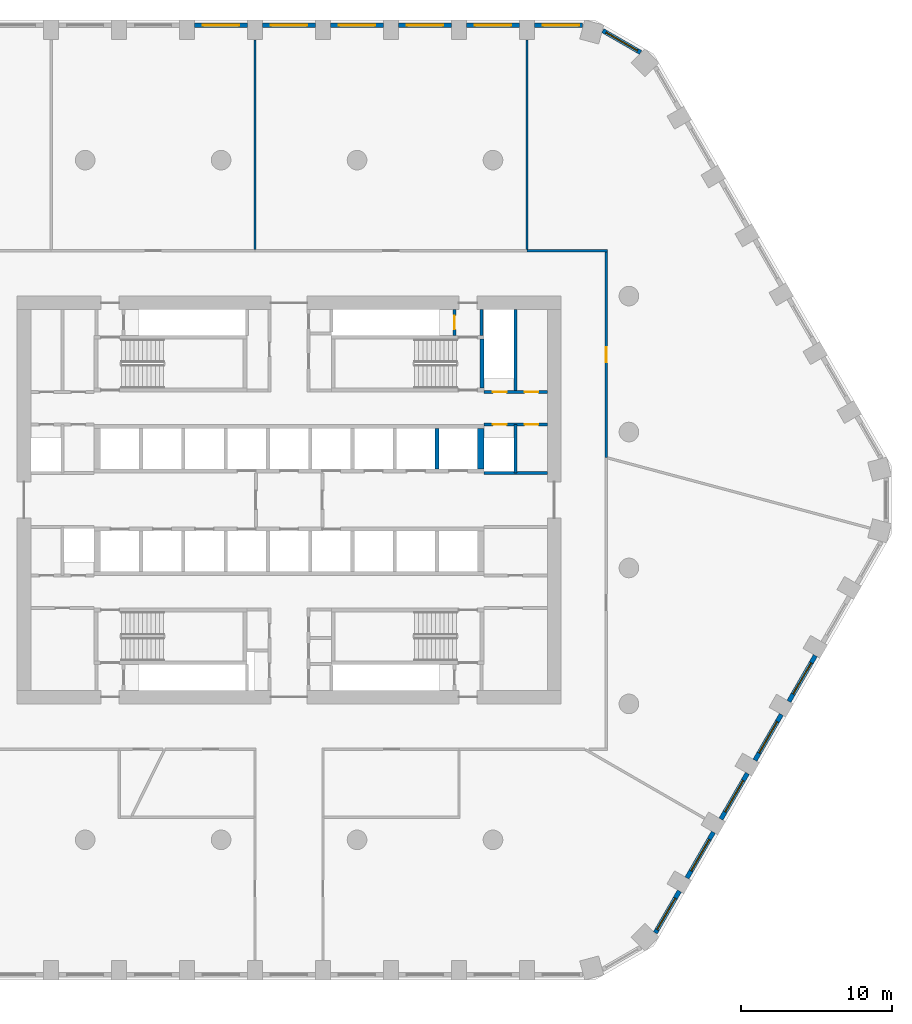
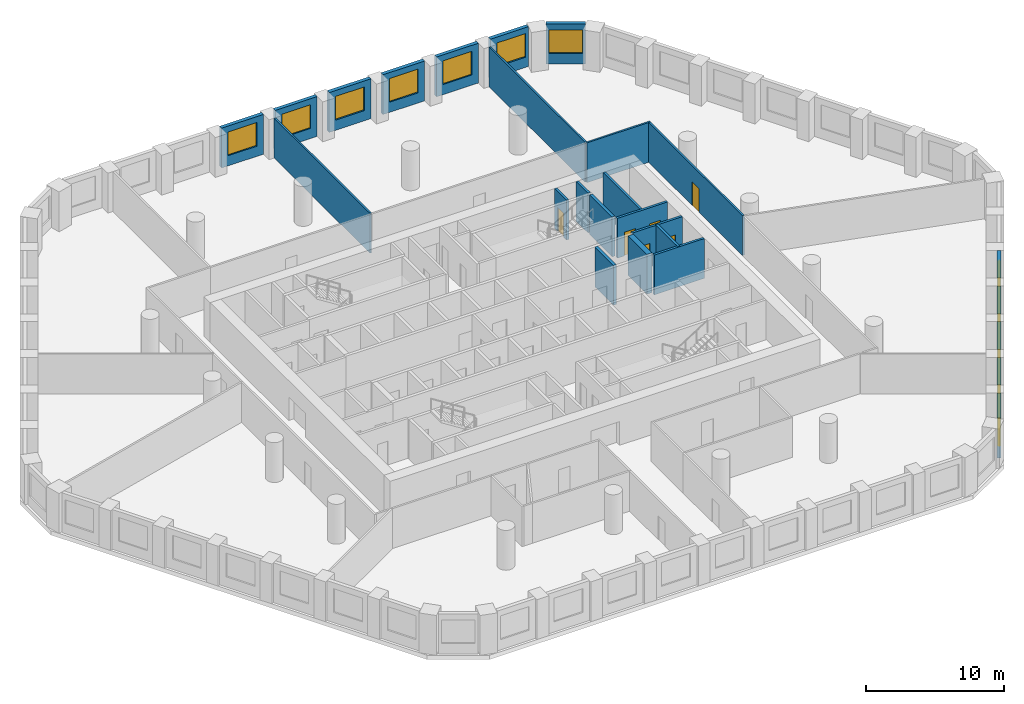
# One storey, part 7 of 9: 26 walls, 12 windows, 6 doors, 18 openings.
"""IFC4 building model written with IfcOpenShell, lengths in metres."""

from ifc_helpers import new_model, si_unit, direction, frame, frame_2d, origin, place, context, subcontext, project, spatial, polyline, rectangle, outline, extrude, material, layer, layer_set, type_object, element, fill, save


model = new_model("IFC4")

# Units and contexts
model_context = context("Model", 3, precision=1e-05, world=origin(), true_north=direction((0.0, 1.0)))
body_context = subcontext(model_context, "Body", "Model", "MODEL_VIEW")
ifc_project = project(units=[si_unit("LENGTHUNIT", "METRE"), si_unit("AREAUNIT", "SQUARE_METRE"), si_unit("VOLUMEUNIT", "CUBIC_METRE"), si_unit("PLANEANGLEUNIT", "RADIAN"), si_unit("MASSUNIT", "GRAM", prefix="KILO")], contexts=[model_context])

# Site, building, storey
site_placement = place(None, origin())
site = spatial("IfcSite", under=ifc_project, at=site_placement, CompositionType="ELEMENT")
building_placement = place(site_placement, origin())
building = spatial("IfcBuilding", under=site, at=building_placement, Name="Dhurran Vertical Campus", CompositionType="ELEMENT")
storey_placement = place(building_placement, frame((0.0, 0.0, 120.300048828125)))
storey = spatial("IfcBuildingStorey", under=building, at=storey_placement, Name="L29", CompositionType="ELEMENT", Elevation=120.300048828125)

# Wall, opening, window
ifc_material_1 = material(Name="Precast concrete C50/60", Category="concrete")
ifc_layer_1 = layer(ifc_material_1, 0.300048828125)
ifc_layer_set_1 = layer_set([ifc_layer_1], Name="Precast concrete C50/60")
wall_type_1 = type_object("IfcWallType", Name="Precast spandrel wall 300", PredefinedType="SOLIDWALL", material=ifc_layer_set_1)
wall_1_placement = place(storey_placement, frame((24.24755859375, -28.65576171875, 0.0), z_axis=(0.0, 0.0, 1.0), x_axis=(0.500004907028, 0.866022570692, 0.0)))
wall_1 = element("IfcWall", 1, at=wall_1_placement, inside=storey, type_object=wall_type_1, Name="EW1 L29.10", PredefinedType="SOLIDWALL", context=body_context, shape_type="SweptSolid", body=[
    extrude(rectangle(XDim=3.1923828125, YDim=0.300048828125, at=frame_2d((1.59619140625, 0.0))), origin(), (0.0, 0.0, 1.0), 3.52490234375),
])
opening_1_placement = place(wall_1_placement, frame((0.242919921875, 0.0, 0.89990234375)))
opening_1 = element("IfcOpeningElement", 2, at=opening_1_placement, cuts=wall_1, Name="Opening WT1", PredefinedType="OPENING", context=body_context, shape_type="SweptSolid", body=[
    extrude(rectangle(XDim=2.39990234375, YDim=2.10009765625, at=frame_2d((1.199951171875, 1.050048828125))), frame((0.0, 0.159912109375, 0.0), z_axis=(0.0, -1.0, 0.0), x_axis=(1.0, 0.0, 0.0)), (0.0, 0.0, 1.0), 0.320068359375),
])
ifc_material_2 = material(Name="Aluminium frame with solar-control glass", Category="aluminium")
window_type = type_object("IfcWindowType", Name="Punched window 2400 x 2100", PartitioningType="SINGLE_PANEL", PredefinedType="WINDOW", material=ifc_material_2)
window_1_placement = place(opening_1_placement, origin())
window_1 = element("IfcWindow", 3, at=window_1_placement, inside=storey, type_object=window_type, Name="WT1 L29.10", OverallHeight=2.10009765625, OverallWidth=2.39990234375, PartitioningType="SINGLE_PANEL", PredefinedType="WINDOW", context=body_context, shape_type="SweptSolid", body=[
    extrude(rectangle(XDim=2.39990234375, YDim=2.10009765625, at=frame_2d((1.199951171875, 1.050048828125))), frame((0.0, 0.030029296875, 0.0), z_axis=(0.0, -1.0, 0.0), x_axis=(1.0, 0.0, 0.0)), (0.0, 0.0, 1.0), 0.06005859375),
])
fill(opening_1, window_1)

wall_2_placement = place(storey_placement, frame((26.34423828125, -25.024169921875, 0.0), z_axis=(0.0, 0.0, 1.0), x_axis=(0.499996256241, 0.866027565234, 0.0)))
wall_2 = element("IfcWall", 4, at=wall_2_placement, inside=storey, type_object=wall_type_1, Name="EW1 L29.11", PredefinedType="SOLIDWALL", context=body_context, shape_type="SweptSolid", body=[
    extrude(rectangle(XDim=3.4990234375, YDim=0.300048828125, at=frame_2d((1.74951171875, 0.0))), origin(), (0.0, 0.0, 1.0), 3.52490234375),
])
opening_2_placement = place(wall_2_placement, frame((0.549560546875, 0.0, 0.89990234375)))
opening_2 = element("IfcOpeningElement", 5, at=opening_2_placement, cuts=wall_2, Name="Opening WT1", PredefinedType="OPENING", context=body_context, shape_type="SweptSolid", body=[
    extrude(rectangle(XDim=2.39990234375, YDim=2.10009765625, at=frame_2d((1.199951171875, 1.050048828125))), frame((0.0, 0.159912109375, 0.0), z_axis=(0.0, -1.0, 0.0), x_axis=(1.0, 0.0, 0.0)), (0.0, 0.0, 1.0), 0.320068359375),
])
window_2_placement = place(opening_2_placement, origin())
window_2 = element("IfcWindow", 6, at=window_2_placement, inside=storey, type_object=window_type, Name="WT1 L29.11", OverallHeight=2.10009765625, OverallWidth=2.39990234375, PartitioningType="SINGLE_PANEL", PredefinedType="WINDOW", context=body_context, shape_type="SweptSolid", body=[
    extrude(rectangle(XDim=2.39990234375, YDim=2.10009765625, at=frame_2d((1.199951171875, 1.050048828125))), frame((0.0, 0.030029296875, 0.0), z_axis=(0.0, -1.0, 0.0), x_axis=(1.0, 0.0, 0.0)), (0.0, 0.0, 1.0), 0.06005859375),
])
fill(opening_2, window_2)

wall_3_placement = place(storey_placement, frame((28.59423828125, -21.127197265625, 0.0), z_axis=(0.0, 0.0, 1.0), x_axis=(0.499996256241, 0.866027565234, 0.0)))
wall_3 = element("IfcWall", 7, at=wall_3_placement, inside=storey, type_object=wall_type_1, Name="EW1 L29.12", PredefinedType="SOLIDWALL", context=body_context, shape_type="SweptSolid", body=[
    extrude(rectangle(XDim=3.4990234375, YDim=0.300048828125, at=frame_2d((1.74951171875, 0.0))), origin(), (0.0, 0.0, 1.0), 3.52490234375),
])
opening_3_placement = place(wall_3_placement, frame((0.549560546875, 0.0, 0.89990234375)))
opening_3 = element("IfcOpeningElement", 8, at=opening_3_placement, cuts=wall_3, Name="Opening WT1", PredefinedType="OPENING", context=body_context, shape_type="SweptSolid", body=[
    extrude(rectangle(XDim=2.39990234375, YDim=2.10009765625, at=frame_2d((1.199951171875, 1.050048828125))), frame((0.0, 0.159912109375, 0.0), z_axis=(0.0, -1.0, 0.0), x_axis=(1.0, 0.0, 0.0)), (0.0, 0.0, 1.0), 0.320068359375),
])
window_3_placement = place(opening_3_placement, origin())
window_3 = element("IfcWindow", 9, at=window_3_placement, inside=storey, type_object=window_type, Name="WT1 L29.12", OverallHeight=2.10009765625, OverallWidth=2.39990234375, PartitioningType="SINGLE_PANEL", PredefinedType="WINDOW", context=body_context, shape_type="SweptSolid", body=[
    extrude(rectangle(XDim=2.39990234375, YDim=2.10009765625, at=frame_2d((1.199951171875, 1.050048828125))), frame((0.0, 0.030029296875, 0.0), z_axis=(0.0, -1.0, 0.0), x_axis=(1.0, 0.0, 0.0)), (0.0, 0.0, 1.0), 0.06005859375),
])
fill(opening_3, window_3)

wall_4_placement = place(storey_placement, frame((30.84423828125, -17.22998046875, 0.0), z_axis=(0.0, 0.0, 1.0), x_axis=(0.499996256241, 0.866027565234, 0.0)))
wall_4 = element("IfcWall", 10, at=wall_4_placement, inside=storey, type_object=wall_type_1, Name="EW1 L29.13", PredefinedType="SOLIDWALL", context=body_context, shape_type="SweptSolid", body=[
    extrude(rectangle(XDim=3.4990234375, YDim=0.300048828125, at=frame_2d((1.74951171875, 0.0))), origin(), (0.0, 0.0, 1.0), 3.52490234375),
])
opening_4_placement = place(wall_4_placement, frame((0.549560546875, 0.0, 0.89990234375)))
opening_4 = element("IfcOpeningElement", 11, at=opening_4_placement, cuts=wall_4, Name="Opening WT1", PredefinedType="OPENING", context=body_context, shape_type="SweptSolid", body=[
    extrude(rectangle(XDim=2.39990234375, YDim=2.10009765625, at=frame_2d((1.199951171875, 1.050048828125))), frame((0.0, 0.159912109375, 0.0), z_axis=(0.0, -1.0, 0.0), x_axis=(1.0, 0.0, 0.0)), (0.0, 0.0, 1.0), 0.320068359375),
])
window_4_placement = place(opening_4_placement, origin())
window_4 = element("IfcWindow", 12, at=window_4_placement, inside=storey, type_object=window_type, Name="WT1 L29.13", OverallHeight=2.10009765625, OverallWidth=2.39990234375, PartitioningType="SINGLE_PANEL", PredefinedType="WINDOW", context=body_context, shape_type="SweptSolid", body=[
    extrude(rectangle(XDim=2.39990234375, YDim=2.10009765625, at=frame_2d((1.199951171875, 1.050048828125))), frame((0.0, 0.030029296875, 0.0), z_axis=(0.0, -1.0, 0.0), x_axis=(1.0, 0.0, 0.0)), (0.0, 0.0, 1.0), 0.06005859375),
])
fill(opening_4, window_4)

wall_5_placement = place(storey_placement, frame((33.09423828125, -13.3330078125, 0.0), z_axis=(0.0, 0.0, 1.0), x_axis=(0.499996256241, 0.866027565234, 0.0)))
wall_5 = element("IfcWall", 13, at=wall_5_placement, inside=storey, type_object=wall_type_1, Name="EW1 L29.14", PredefinedType="SOLIDWALL", context=body_context, shape_type="SweptSolid", body=[
    extrude(rectangle(XDim=3.4990234375, YDim=0.300048828125, at=frame_2d((1.74951171875, 0.0))), origin(), (0.0, 0.0, 1.0), 3.52490234375),
])
opening_5_placement = place(wall_5_placement, frame((0.549560546875, 0.0, 0.89990234375)))
opening_5 = element("IfcOpeningElement", 14, at=opening_5_placement, cuts=wall_5, Name="Opening WT1", PredefinedType="OPENING", context=body_context, shape_type="SweptSolid", body=[
    extrude(rectangle(XDim=2.39990234375, YDim=2.10009765625, at=frame_2d((1.199951171875, 1.050048828125))), frame((0.0, 0.159912109375, 0.0), z_axis=(0.0, -1.0, 0.0), x_axis=(1.0, 0.0, 0.0)), (0.0, 0.0, 1.0), 0.320068359375),
])
window_5_placement = place(opening_5_placement, origin())
window_5 = element("IfcWindow", 15, at=window_5_placement, inside=storey, type_object=window_type, Name="WT1 L29.14", OverallHeight=2.10009765625, OverallWidth=2.39990234375, PartitioningType="SINGLE_PANEL", PredefinedType="WINDOW", context=body_context, shape_type="SweptSolid", body=[
    extrude(rectangle(XDim=2.39990234375, YDim=2.10009765625, at=frame_2d((1.199951171875, 1.050048828125))), frame((0.0, 0.030029296875, 0.0), z_axis=(0.0, -1.0, 0.0), x_axis=(1.0, 0.0, 0.0)), (0.0, 0.0, 1.0), 0.06005859375),
])
fill(opening_5, window_5)

wall_6_placement = place(storey_placement, frame((23.273193359375, 29.63037109375, 0.0), z_axis=(0.0, 0.0, 1.0), x_axis=(-0.866053149362, 0.49995194017, 0.0)))
wall_6 = element("IfcWall", 16, at=wall_6_placement, inside=storey, type_object=wall_type_1, Name="EW1 L29.25", PredefinedType="SOLIDWALL", context=body_context, shape_type="SweptSolid", body=[
    extrude(rectangle(XDim=2.885498046875, YDim=0.300048828125, at=frame_2d((1.44287109375, 0.0))), origin(), (0.0, 0.0, 1.0), 3.52490234375),
])
opening_6_placement = place(wall_6_placement, frame((0.242919921875, 0.0, 0.89990234375)))
opening_6 = element("IfcOpeningElement", 17, at=opening_6_placement, cuts=wall_6, Name="Opening WT1", PredefinedType="OPENING", context=body_context, shape_type="SweptSolid", body=[
    extrude(rectangle(XDim=2.39990234375, YDim=2.10009765625, at=frame_2d((1.199951171875, 1.050048828125))), frame((0.0, 0.159912109375, 0.0), z_axis=(0.0, -1.0, 0.0), x_axis=(1.0, 0.0, 0.0)), (0.0, 0.0, 1.0), 0.320068359375),
])
window_6_placement = place(opening_6_placement, origin())
window_6 = element("IfcWindow", 18, at=window_6_placement, inside=storey, type_object=window_type, Name="WT1 L29.25", OverallHeight=2.10009765625, OverallWidth=2.39990234375, PartitioningType="SINGLE_PANEL", PredefinedType="WINDOW", context=body_context, shape_type="SweptSolid", body=[
    extrude(rectangle(XDim=2.39990234375, YDim=2.10009765625, at=frame_2d((1.199951171875, 1.050048828125))), frame((0.0, 0.030029296875, 0.0), z_axis=(0.0, -1.0, 0.0), x_axis=(1.0, 0.0, 0.0)), (0.0, 0.0, 1.0), 0.06005859375),
])
fill(opening_6, window_6)

wall_7_placement = place(storey_placement, frame((19.44287109375, 31.4296875, 0.0), z_axis=(0.0, 0.0, 1.0), x_axis=(-1.0, 0.0, 0.0)))
wall_7 = element("IfcWall", 19, at=wall_7_placement, inside=storey, type_object=wall_type_1, Name="EW1 L29.26", PredefinedType="SOLIDWALL", context=body_context, shape_type="SweptSolid", body=[
    extrude(rectangle(XDim=3.1923828125, YDim=0.300048828125, at=frame_2d((1.59619140625, 0.0))), origin(), (0.0, 0.0, 1.0), 3.52490234375),
])
opening_7_placement = place(wall_7_placement, frame((0.242919921875, 0.0, 0.89990234375)))
opening_7 = element("IfcOpeningElement", 20, at=opening_7_placement, cuts=wall_7, Name="Opening WT1", PredefinedType="OPENING", context=body_context, shape_type="SweptSolid", body=[
    extrude(rectangle(XDim=2.39990234375, YDim=2.10009765625, at=frame_2d((1.199951171875, 1.050048828125))), frame((0.0, 0.159912109375, 0.0), z_axis=(0.0, -1.0, 0.0), x_axis=(1.0, 0.0, 0.0)), (0.0, 0.0, 1.0), 0.320068359375),
])
window_7_placement = place(opening_7_placement, origin())
window_7 = element("IfcWindow", 21, at=window_7_placement, inside=storey, type_object=window_type, Name="WT1 L29.26", OverallHeight=2.10009765625, OverallWidth=2.39990234375, PartitioningType="SINGLE_PANEL", PredefinedType="WINDOW", context=body_context, shape_type="SweptSolid", body=[
    extrude(rectangle(XDim=2.39990234375, YDim=2.10009765625, at=frame_2d((1.199951171875, 1.050048828125))), frame((0.0, 0.030029296875, 0.0), z_axis=(0.0, -1.0, 0.0), x_axis=(1.0, 0.0, 0.0)), (0.0, 0.0, 1.0), 0.06005859375),
])
fill(opening_7, window_7)

wall_8_placement = place(storey_placement, frame((15.24951171875, 31.4296875, 0.0), z_axis=(0.0, 0.0, 1.0), x_axis=(-1.0, 0.0, 0.0)))
wall_8 = element("IfcWall", 22, at=wall_8_placement, inside=storey, type_object=wall_type_1, Name="EW1 L29.27", PredefinedType="SOLIDWALL", context=body_context, shape_type="SweptSolid", body=[
    extrude(rectangle(XDim=3.4990234375, YDim=0.300048828125, at=frame_2d((1.74951171875, 0.0))), origin(), (0.0, 0.0, 1.0), 3.52490234375),
])
opening_8_placement = place(wall_8_placement, frame((0.549560546875, 0.0, 0.89990234375)))
opening_8 = element("IfcOpeningElement", 23, at=opening_8_placement, cuts=wall_8, Name="Opening WT1", PredefinedType="OPENING", context=body_context, shape_type="SweptSolid", body=[
    extrude(rectangle(XDim=2.39990234375, YDim=2.10009765625, at=frame_2d((1.199951171875, 1.050048828125))), frame((0.0, 0.159912109375, 0.0), z_axis=(0.0, -1.0, 0.0), x_axis=(1.0, 0.0, 0.0)), (0.0, 0.0, 1.0), 0.320068359375),
])
window_8_placement = place(opening_8_placement, origin())
window_8 = element("IfcWindow", 24, at=window_8_placement, inside=storey, type_object=window_type, Name="WT1 L29.27", OverallHeight=2.10009765625, OverallWidth=2.39990234375, PartitioningType="SINGLE_PANEL", PredefinedType="WINDOW", context=body_context, shape_type="SweptSolid", body=[
    extrude(rectangle(XDim=2.39990234375, YDim=2.10009765625, at=frame_2d((1.199951171875, 1.050048828125))), frame((0.0, 0.030029296875, 0.0), z_axis=(0.0, -1.0, 0.0), x_axis=(1.0, 0.0, 0.0)), (0.0, 0.0, 1.0), 0.06005859375),
])
fill(opening_8, window_8)

wall_9_placement = place(storey_placement, frame((10.74951171875, 31.4296875, 0.0), z_axis=(0.0, 0.0, 1.0), x_axis=(-1.0, 0.0, 0.0)))
wall_9 = element("IfcWall", 25, at=wall_9_placement, inside=storey, type_object=wall_type_1, Name="EW1 L29.28", PredefinedType="SOLIDWALL", context=body_context, shape_type="SweptSolid", body=[
    extrude(rectangle(XDim=3.4990234375, YDim=0.300048828125, at=frame_2d((1.74951171875, 0.0))), origin(), (0.0, 0.0, 1.0), 3.52490234375),
])
opening_9_placement = place(wall_9_placement, frame((0.549560546875, 0.0, 0.89990234375)))
opening_9 = element("IfcOpeningElement", 26, at=opening_9_placement, cuts=wall_9, Name="Opening WT1", PredefinedType="OPENING", context=body_context, shape_type="SweptSolid", body=[
    extrude(rectangle(XDim=2.39990234375, YDim=2.10009765625, at=frame_2d((1.199951171875, 1.050048828125))), frame((0.0, 0.159912109375, 0.0), z_axis=(0.0, -1.0, 0.0), x_axis=(1.0, 0.0, 0.0)), (0.0, 0.0, 1.0), 0.320068359375),
])
window_9_placement = place(opening_9_placement, origin())
window_9 = element("IfcWindow", 27, at=window_9_placement, inside=storey, type_object=window_type, Name="WT1 L29.28", OverallHeight=2.10009765625, OverallWidth=2.39990234375, PartitioningType="SINGLE_PANEL", PredefinedType="WINDOW", context=body_context, shape_type="SweptSolid", body=[
    extrude(rectangle(XDim=2.39990234375, YDim=2.10009765625, at=frame_2d((1.199951171875, 1.050048828125))), frame((0.0, 0.030029296875, 0.0), z_axis=(0.0, -1.0, 0.0), x_axis=(1.0, 0.0, 0.0)), (0.0, 0.0, 1.0), 0.06005859375),
])
fill(opening_9, window_9)

wall_10_placement = place(storey_placement, frame((6.24951171875, 31.4296875, 0.0), z_axis=(0.0, 0.0, 1.0), x_axis=(-1.0, 0.0, 0.0)))
wall_10 = element("IfcWall", 28, at=wall_10_placement, inside=storey, type_object=wall_type_1, Name="EW1 L29.29", PredefinedType="SOLIDWALL", context=body_context, shape_type="SweptSolid", body=[
    extrude(rectangle(XDim=3.4990234375, YDim=0.300048828125, at=frame_2d((1.74951171875, 0.0))), origin(), (0.0, 0.0, 1.0), 3.52490234375),
])
opening_10_placement = place(wall_10_placement, frame((0.549560546875, 0.0, 0.89990234375)))
opening_10 = element("IfcOpeningElement", 29, at=opening_10_placement, cuts=wall_10, Name="Opening WT1", PredefinedType="OPENING", context=body_context, shape_type="SweptSolid", body=[
    extrude(rectangle(XDim=2.39990234375, YDim=2.10009765625, at=frame_2d((1.199951171875, 1.050048828125))), frame((0.0, 0.159912109375, 0.0), z_axis=(0.0, -1.0, 0.0), x_axis=(1.0, 0.0, 0.0)), (0.0, 0.0, 1.0), 0.320068359375),
])
window_10_placement = place(opening_10_placement, origin())
window_10 = element("IfcWindow", 30, at=window_10_placement, inside=storey, type_object=window_type, Name="WT1 L29.29", OverallHeight=2.10009765625, OverallWidth=2.39990234375, PartitioningType="SINGLE_PANEL", PredefinedType="WINDOW", context=body_context, shape_type="SweptSolid", body=[
    extrude(rectangle(XDim=2.39990234375, YDim=2.10009765625, at=frame_2d((1.199951171875, 1.050048828125))), frame((0.0, 0.030029296875, 0.0), z_axis=(0.0, -1.0, 0.0), x_axis=(1.0, 0.0, 0.0)), (0.0, 0.0, 1.0), 0.06005859375),
])
fill(opening_10, window_10)

wall_11_placement = place(storey_placement, frame((1.74951171875, 31.4296875, 0.0), z_axis=(0.0, 0.0, 1.0), x_axis=(-1.0, 0.0, 0.0)))
wall_11 = element("IfcWall", 31, at=wall_11_placement, inside=storey, type_object=wall_type_1, Name="EW1 L29.30", PredefinedType="SOLIDWALL", context=body_context, shape_type="SweptSolid", body=[
    extrude(rectangle(XDim=3.4990234375, YDim=0.300048828125, at=frame_2d((1.74951171875, 0.0))), origin(), (0.0, 0.0, 1.0), 3.52490234375),
])
opening_11_placement = place(wall_11_placement, frame((0.549560546875, 0.0, 0.89990234375)))
opening_11 = element("IfcOpeningElement", 32, at=opening_11_placement, cuts=wall_11, Name="Opening WT1", PredefinedType="OPENING", context=body_context, shape_type="SweptSolid", body=[
    extrude(rectangle(XDim=2.39990234375, YDim=2.10009765625, at=frame_2d((1.199951171875, 1.050048828125))), frame((0.0, 0.159912109375, 0.0), z_axis=(0.0, -1.0, 0.0), x_axis=(1.0, 0.0, 0.0)), (0.0, 0.0, 1.0), 0.320068359375),
])
window_11_placement = place(opening_11_placement, origin())
window_11 = element("IfcWindow", 33, at=window_11_placement, inside=storey, type_object=window_type, Name="WT1 L29.30", OverallHeight=2.10009765625, OverallWidth=2.39990234375, PartitioningType="SINGLE_PANEL", PredefinedType="WINDOW", context=body_context, shape_type="SweptSolid", body=[
    extrude(rectangle(XDim=2.39990234375, YDim=2.10009765625, at=frame_2d((1.199951171875, 1.050048828125))), frame((0.0, 0.030029296875, 0.0), z_axis=(0.0, -1.0, 0.0), x_axis=(1.0, 0.0, 0.0)), (0.0, 0.0, 1.0), 0.06005859375),
])
fill(opening_11, window_11)

wall_12_placement = place(storey_placement, frame((-2.75048828125, 31.4296875, 0.0), z_axis=(0.0, 0.0, 1.0), x_axis=(-1.0, 0.0, 0.0)))
wall_12 = element("IfcWall", 34, at=wall_12_placement, inside=storey, type_object=wall_type_1, Name="EW1 L29.31", PredefinedType="SOLIDWALL", context=body_context, shape_type="SweptSolid", body=[
    extrude(rectangle(XDim=3.4990234375, YDim=0.300048828125, at=frame_2d((1.74951171875, 0.0))), origin(), (0.0, 0.0, 1.0), 3.52490234375),
])
opening_12_placement = place(wall_12_placement, frame((0.549560546875, 0.0, 0.89990234375)))
opening_12 = element("IfcOpeningElement", 35, at=opening_12_placement, cuts=wall_12, Name="Opening WT1", PredefinedType="OPENING", context=body_context, shape_type="SweptSolid", body=[
    extrude(rectangle(XDim=2.39990234375, YDim=2.10009765625, at=frame_2d((1.199951171875, 1.050048828125))), frame((0.0, 0.159912109375, 0.0), z_axis=(0.0, -1.0, 0.0), x_axis=(1.0, 0.0, 0.0)), (0.0, 0.0, 1.0), 0.320068359375),
])
window_12_placement = place(opening_12_placement, origin())
window_12 = element("IfcWindow", 36, at=window_12_placement, inside=storey, type_object=window_type, Name="WT1 L29.31", OverallHeight=2.10009765625, OverallWidth=2.39990234375, PartitioningType="SINGLE_PANEL", PredefinedType="WINDOW", context=body_context, shape_type="SweptSolid", body=[
    extrude(rectangle(XDim=2.39990234375, YDim=2.10009765625, at=frame_2d((1.199951171875, 1.050048828125))), frame((0.0, 0.030029296875, 0.0), z_axis=(0.0, -1.0, 0.0), x_axis=(1.0, 0.0, 0.0)), (0.0, 0.0, 1.0), 0.06005859375),
])
fill(opening_12, window_12)

# Wall
ifc_material_3 = material(Name="Fire-rated masonry blockwork", Category="masonry")
ifc_layer_2 = layer(ifc_material_3, 0.199951171875)
ifc_layer_set_2 = layer_set([ifc_layer_2], Name="Fire-rated masonry blockwork")
wall_type_2 = type_object("IfcWallType", Name="co-FIRE-PARTITION-200", PredefinedType="PARTITIONING", material=ifc_layer_set_2)
wall_13_placement = place(storey_placement, frame((12.75, 10.89990234375, 0.0), z_axis=(0.0, 0.0, 1.0), x_axis=(0.0, 1.0, 0.0)))
element("IfcWall", 37, at=wall_13_placement, inside=storey, type_object=wall_type_2, Name="Core partition pass-ST2-o L29", PredefinedType="PARTITIONING", context=body_context, shape_type="SweptSolid", body=[
    extrude(rectangle(XDim=1.7001953125, YDim=0.199951171875, at=frame_2d((0.85009765625, 0.0))), origin(), (0.0, 0.0, 1.0), 3.52490234375),
])

# Wall, opening, door
wall_14_placement = place(storey_placement, frame((10.949951171875, 10.89990234375, 0.0), z_axis=(0.0, 0.0, 1.0), x_axis=(0.0, 1.0, 0.0)))
wall_14 = element("IfcWall", 38, at=wall_14_placement, inside=storey, type_object=wall_type_2, Name="Core partition pass-ST2-i L29", PredefinedType="PARTITIONING", context=body_context, shape_type="SweptSolid", body=[
    extrude(rectangle(XDim=1.7001953125, YDim=0.199951171875, at=frame_2d((0.85009765625, 0.0))), origin(), (0.0, 0.0, 1.0), 3.52490234375),
])
opening_13_placement = place(wall_14_placement, frame((0.39990234375, 0.0, 0.0)))
opening_13 = element("IfcOpeningElement", 39, at=opening_13_placement, cuts=wall_14, Name="Opening T08-C10", PredefinedType="OPENING", context=body_context, shape_type="SweptSolid", body=[
    extrude(rectangle(XDim=0.89990234375, YDim=2.10009765625, at=frame_2d((0.449951171875, 1.050048828125))), frame((0.0, 0.10986328125, 0.0), z_axis=(0.0, -1.0, 0.0), x_axis=(1.0, 0.0, 0.0)), (0.0, 0.0, 1.0), 0.219970703125),
])
ifc_material_4 = material(Name="Fire-rated timber door set", Category="wood")
door_type_1 = type_object("IfcDoorType", Name="co-D-ROOM 900x2100", OperationType="SINGLE_SWING_LEFT", PredefinedType="DOOR", material=ifc_material_4)
door_1_placement = place(opening_13_placement, origin())
door_1 = element("IfcDoor", 40, at=door_1_placement, inside=storey, type_object=door_type_1, Name="Riser room door L29", OperationType="SINGLE_SWING_LEFT", OverallHeight=2.10009765625, OverallWidth=0.89990234375, PredefinedType="DOOR", context=body_context, shape_type="SweptSolid", body=[
    extrude(rectangle(XDim=0.89990234375, YDim=2.10009765625, at=frame_2d((0.449951171875, 1.050048828125))), frame((0.0, 0.02490234375, 0.0), z_axis=(0.0, -1.0, 0.0), x_axis=(1.0, 0.0, 0.0)), (0.0, 0.0, 1.0), 0.050048828125),
])
fill(opening_13, door_1)

# Wall
wall_15_placement = place(storey_placement, frame((15.0, 7.14990234375, 0.0), z_axis=(0.0, 0.0, 1.0), x_axis=(0.0, 1.0, 0.0)))
element("IfcWall", 41, at=wall_15_placement, inside=storey, type_object=wall_type_2, Name="Core partition en-NE-cut0 L29", PredefinedType="PARTITIONING", context=body_context, shape_type="SweptSolid", body=[
    extrude(rectangle(XDim=5.4501953125, YDim=0.199951171875, at=frame_2d((2.72509765625, 0.0))), origin(), (0.0, 0.0, 1.0), 3.52490234375),
])

# Wall, openings, doors
wall_16_placement = place(storey_placement, frame((12.89990234375, 7.14990234375, 0.0), z_axis=(0.0, 0.0, 1.0), x_axis=(1.0, 0.0, 0.0)))
wall_16 = element("IfcWall", 42, at=wall_16_placement, inside=storey, type_object=wall_type_2, Name="Core partition en-NE-w L29", PredefinedType="PARTITIONING", context=body_context, shape_type="SweptSolid", body=[
    extrude(rectangle(XDim=4.2001953125, YDim=0.199951171875, at=frame_2d((2.10009765625, 0.0))), origin(), (0.0, 0.0, 1.0), 3.52490234375),
])
opening_14_placement = place(wall_16_placement, frame((0.60009765625, 0.0, 0.0)))
opening_14 = element("IfcOpeningElement", 43, at=opening_14_placement, cuts=wall_16, Name="Opening T08-C17", PredefinedType="OPENING", context=body_context, shape_type="SweptSolid", body=[
    extrude(rectangle(XDim=0.89990234375, YDim=2.10009765625, at=frame_2d((0.449951171875, 1.050048828125))), frame((0.0, 0.10986328125, 0.0), z_axis=(0.0, -1.0, 0.0), x_axis=(1.0, 0.0, 0.0)), (0.0, 0.0, 1.0), 0.219970703125),
])
opening_15_placement = place(wall_16_placement, frame((2.699951171875, 0.0, 0.0)))
opening_15 = element("IfcOpeningElement", 44, at=opening_15_placement, cuts=wall_16, Name="Opening T08-C18", PredefinedType="OPENING", context=body_context, shape_type="SweptSolid", body=[
    extrude(rectangle(XDim=0.89990234375, YDim=2.10009765625, at=frame_2d((0.449951171875, 1.050048828125))), frame((0.0, 0.10986328125, 0.0), z_axis=(0.0, -1.0, 0.0), x_axis=(1.0, 0.0, 0.0)), (0.0, 0.0, 1.0), 0.219970703125),
])
door_2_placement = place(opening_14_placement, origin())
door_2 = element("IfcDoor", 45, at=door_2_placement, inside=storey, type_object=door_type_1, Name="Electrical riser door L29", OperationType="SINGLE_SWING_LEFT", OverallHeight=2.10009765625, OverallWidth=0.89990234375, PredefinedType="DOOR", context=body_context, shape_type="SweptSolid", body=[
    extrude(rectangle(XDim=0.89990234375, YDim=2.10009765625, at=frame_2d((0.449951171875, 1.050048828125))), frame((0.0, 0.02490234375, 0.0), z_axis=(0.0, -1.0, 0.0), x_axis=(1.0, 0.0, 0.0)), (0.0, 0.0, 1.0), 0.050048828125),
])
fill(opening_14, door_2)
door_3_placement = place(opening_15_placement, origin())
door_3 = element("IfcDoor", 46, at=door_3_placement, inside=storey, type_object=door_type_1, Name="Cleaner's store door L29", OperationType="SINGLE_SWING_LEFT", OverallHeight=2.10009765625, OverallWidth=0.89990234375, PredefinedType="DOOR", context=body_context, shape_type="SweptSolid", body=[
    extrude(rectangle(XDim=0.89990234375, YDim=2.10009765625, at=frame_2d((0.449951171875, 1.050048828125))), frame((0.0, 0.02490234375, 0.0), z_axis=(0.0, -1.0, 0.0), x_axis=(1.0, 0.0, 0.0)), (0.0, 0.0, 1.0), 0.050048828125),
])
fill(opening_15, door_3)

# Wall
wall_17_placement = place(storey_placement, frame((15.0, 1.800048828125, 0.0), z_axis=(0.0, 0.0, 1.0), x_axis=(0.0, 1.0, 0.0)))
element("IfcWall", 47, at=wall_17_placement, inside=storey, type_object=wall_type_2, Name="Core partition es-NE-cut0 L29", PredefinedType="PARTITIONING", context=body_context, shape_type="SweptSolid", body=[
    extrude(rectangle(XDim=3.199951171875, YDim=0.199951171875, at=frame_2d((1.60009765625, 0.0))), origin(), (0.0, 0.0, 1.0), 3.52490234375),
])

# Wall, openings, doors
wall_18_placement = place(storey_placement, frame((12.89990234375, 5.0, 0.0), z_axis=(0.0, 0.0, 1.0), x_axis=(1.0, 0.0, 0.0)))
wall_18 = element("IfcWall", 48, at=wall_18_placement, inside=storey, type_object=wall_type_2, Name="Core partition es-NE-w L29", PredefinedType="PARTITIONING", context=body_context, shape_type="SweptSolid", body=[
    extrude(rectangle(XDim=4.2001953125, YDim=0.199951171875, at=frame_2d((2.10009765625, 0.0))), origin(), (0.0, 0.0, 1.0), 3.52490234375),
])
opening_16_placement = place(wall_18_placement, frame((0.60009765625, 0.0, 0.0)))
opening_16 = element("IfcOpeningElement", 49, at=opening_16_placement, cuts=wall_18, Name="Opening T08-C19", PredefinedType="OPENING", context=body_context, shape_type="SweptSolid", body=[
    extrude(rectangle(XDim=0.89990234375, YDim=2.10009765625, at=frame_2d((0.449951171875, 1.050048828125))), frame((0.0, 0.10986328125, 0.0), z_axis=(0.0, -1.0, 0.0), x_axis=(1.0, 0.0, 0.0)), (0.0, 0.0, 1.0), 0.219970703125),
])
opening_17_placement = place(wall_18_placement, frame((2.699951171875, 0.0, 0.0)))
opening_17 = element("IfcOpeningElement", 50, at=opening_17_placement, cuts=wall_18, Name="Opening T08-C20", PredefinedType="OPENING", context=body_context, shape_type="SweptSolid", body=[
    extrude(rectangle(XDim=0.89990234375, YDim=2.10009765625, at=frame_2d((0.449951171875, 1.050048828125))), frame((0.0, 0.10986328125, 0.0), z_axis=(0.0, -1.0, 0.0), x_axis=(1.0, 0.0, 0.0)), (0.0, 0.0, 1.0), 0.219970703125),
])
door_4_placement = place(opening_16_placement, origin())
door_4 = element("IfcDoor", 51, at=door_4_placement, inside=storey, type_object=door_type_1, Name="Electrical riser door L29", OperationType="SINGLE_SWING_LEFT", OverallHeight=2.10009765625, OverallWidth=0.89990234375, PredefinedType="DOOR", context=body_context, shape_type="SweptSolid", body=[
    extrude(rectangle(XDim=0.89990234375, YDim=2.10009765625, at=frame_2d((0.449951171875, 1.050048828125))), frame((0.0, 0.02490234375, 0.0), z_axis=(0.0, -1.0, 0.0), x_axis=(1.0, 0.0, 0.0)), (0.0, 0.0, 1.0), 0.050048828125),
])
fill(opening_16, door_4)
door_5_placement = place(opening_17_placement, origin())
door_5 = element("IfcDoor", 52, at=door_5_placement, inside=storey, type_object=door_type_1, Name="Server room door L29", OperationType="SINGLE_SWING_LEFT", OverallHeight=2.10009765625, OverallWidth=0.89990234375, PredefinedType="DOOR", context=body_context, shape_type="SweptSolid", body=[
    extrude(rectangle(XDim=0.89990234375, YDim=2.10009765625, at=frame_2d((0.449951171875, 1.050048828125))), frame((0.0, 0.02490234375, 0.0), z_axis=(0.0, -1.0, 0.0), x_axis=(1.0, 0.0, 0.0)), (0.0, 0.0, 1.0), 0.050048828125),
])
fill(opening_17, door_5)

# Walls
wall_19_placement = place(storey_placement, frame((12.89990234375, 1.800048828125, 0.0), z_axis=(0.0, 0.0, 1.0), x_axis=(1.0, 0.0, 0.0)))
element("IfcWall", 53, at=wall_19_placement, inside=storey, type_object=wall_type_2, Name="Core partition es-NE-l L29", PredefinedType="PARTITIONING", context=body_context, shape_type="SweptSolid", body=[
    extrude(rectangle(XDim=4.2001953125, YDim=0.199951171875, at=frame_2d((2.10009765625, 0.0))), origin(), (0.0, 0.0, 1.0), 3.52490234375),
])
ifc_material_5 = material(Name="Concrete C50/60", Category="concrete")
ifc_layer_3 = layer(ifc_material_5, 0.25)
ifc_layer_set_3 = layer_set([ifc_layer_3], Name="Concrete C50/60")
wall_type_3 = type_object("IfcWallType", Name="co-SHAFT-MASS-250", PredefinedType="SHEAR", material=ifc_layer_set_3)
wall_20_placement = place(storey_placement, origin())
element("IfcWall", 54, at=wall_20_placement, inside=storey, type_object=wall_type_3, Name="Lift shaft wall N L29 10", PredefinedType="SHEAR", context=body_context, shape_type="SweptSolid", body=[
    extrude(outline(polyline([(9.675048828125, 2.050048828125), (9.925048828125, 2.050048828125), (9.925048828125, 4.75), (9.675048828125, 4.75), (9.675048828125, 2.050048828125)])), origin(), (0.0, 0.0, 1.0), 3.52490234375),
])
wall_21_placement = place(storey_placement, origin())
element("IfcWall", 55, at=wall_21_placement, inside=storey, type_object=wall_type_3, Name="Lift shaft wall N L29 11", PredefinedType="SHEAR", context=body_context, shape_type="SweptSolid", body=[
    extrude(outline(polyline([(12.47509765625, 2.050048828125), (12.89990234375, 2.050048828125), (12.89990234375, 4.75), (12.47509765625, 4.75), (12.47509765625, 2.050048828125)])), origin(), (0.0, 0.0, 1.0), 3.52490234375),
])
ifc_material_6 = material(Name="Concrete C40/50", Category="concrete")
ifc_layer_4 = layer(ifc_material_6, 0.25)
ifc_layer_set_4 = layer_set([ifc_layer_4], Name="Concrete C40/50")
wall_type_4 = type_object("IfcWallType", Name="co-STAIR-WALL-250", PredefinedType="SHEAR", material=ifc_layer_set_4)
wall_22_placement = place(storey_placement, frame((12.77490234375, 7.39990234375, 0.0), z_axis=(0.0, 0.0, 1.0), x_axis=(0.0, 1.0, 0.0)))
element("IfcWall", 56, at=wall_22_placement, inside=storey, type_object=wall_type_4, Name="Stair ST2 enclosure wall L29", PredefinedType="SHEAR", context=body_context, shape_type="SweptSolid", body=[
    extrude(rectangle(XDim=3.25, YDim=0.25, at=frame_2d((1.625, 0.0))), origin(), (0.0, 0.0, 1.0), 3.52490234375),
])
ifc_material_7 = material(Name="Gypsum board corridor wall on steel studs", Category="steel")
ifc_layer_5 = layer(ifc_material_7, 0.14990234375)
ifc_layer_set_5 = layer_set([ifc_layer_5], Name="Gypsum board corridor wall on steel studs")
wall_type_5 = type_object("IfcWallType", Name="fl-CW-150 corridor wall", PredefinedType="PARTITIONING", material=ifc_layer_set_5)
wall_23_placement = place(storey_placement, frame((21.074951171875, 16.5, 0.0), z_axis=(0.0, 0.0, 1.0), x_axis=(-1.0, 0.0, 0.0)))
element("IfcWall", 57, at=wall_23_placement, inside=storey, type_object=wall_type_5, Name="Partition 29-29", PredefinedType="PARTITIONING", context=body_context, shape_type="SweptSolid", body=[
    extrude(rectangle(XDim=5.324951171875, YDim=0.14990234375, at=frame_2d((2.66259765625, 0.0))), origin(), (0.0, 0.0, 1.0), 3.52490234375),
])

# Wall, opening, door
wall_24_placement = place(storey_placement, frame((21.0, 2.81298828125, 0.0), z_axis=(0.0, 0.0, 1.0), x_axis=(0.0, 1.0, 0.0)))
wall_24 = element("IfcWall", 58, at=wall_24_placement, inside=storey, type_object=wall_type_5, Name="Partition 29-33", PredefinedType="PARTITIONING", context=body_context, shape_type="SweptSolid", body=[
    extrude(rectangle(XDim=13.612060546875, YDim=0.14990234375, at=frame_2d((6.80615234375, 0.0))), origin(), (0.0, 0.0, 1.0), 3.52490234375),
])
opening_18_placement = place(wall_24_placement, frame((6.305908203125, 0.0, 0.0)))
opening_18 = element("IfcOpeningElement", 59, at=opening_18_placement, cuts=wall_24, Name="Opening T08.11", PredefinedType="OPENING", context=body_context, shape_type="SweptSolid", body=[
    extrude(rectangle(XDim=1.0, YDim=2.10009765625, at=frame_2d((0.5, 1.050048828125))), frame((0.0, 0.0849609375, 0.0), z_axis=(0.0, -1.0, 0.0), x_axis=(1.0, 0.0, 0.0)), (0.0, 0.0, 1.0), 0.169921875),
])
ifc_material_8 = material(Name="Solid-core timber door set, fire-rated", Category="wood")
door_type_2 = type_object("IfcDoorType", Name="fl-D-1000x2100", OperationType="SINGLE_SWING_LEFT", PredefinedType="DOOR", material=ifc_material_8)
door_6_placement = place(opening_18_placement, origin())
door_6 = element("IfcDoor", 60, at=door_6_placement, inside=storey, type_object=door_type_2, Name="Door 29.11", OperationType="SINGLE_SWING_LEFT", OverallHeight=2.10009765625, OverallWidth=1.0, PredefinedType="DOOR", context=body_context, shape_type="SweptSolid", body=[
    extrude(rectangle(XDim=1.0, YDim=2.10009765625, at=frame_2d((0.5, 1.050048828125))), frame((0.0, 0.02490234375, 0.0), z_axis=(0.0, -1.0, 0.0), x_axis=(1.0, 0.0, 0.0)), (0.0, 0.0, 1.0), 0.050048828125),
])
fill(opening_18, door_6)

# Walls
ifc_material_9 = material(Name="Gypsum board partition on steel studs", Category="steel")
ifc_layer_6 = layer(ifc_material_9, 0.14990234375)
ifc_layer_set_6 = layer_set([ifc_layer_6], Name="Gypsum board partition on steel studs")
wall_type_6 = type_object("IfcWallType", Name="fl-PW-150 fixed partition", PredefinedType="PARTITIONING", material=ifc_layer_set_6)
for number, where, z_axis, x_axis, name in (
    (61, (-2.25, 30.459716796875, 0.0), (0.0, 0.0, 1.0), (0.0, -1.0, 0.0), "Partition 29-20"),
    (62, (15.75, 30.459716796875, 0.0), (0.0, 0.0, 1.0), (0.0, -1.0, 0.0), "Partition 29-28"),
):
    element("IfcWall", number, at=place(storey_placement, frame(where, z_axis=z_axis, x_axis=x_axis)), inside=storey, type_object=wall_type_6, Name=name, PredefinedType="PARTITIONING", context=body_context, shape_type="SweptSolid", body=[
        extrude(rectangle(XDim=13.884765625, YDim=0.14990234375, at=frame_2d((6.9423828125, 0.0))), origin(), (0.0, 0.0, 1.0), 3.52490234375),
    ])

save(model, "model.ifc")
